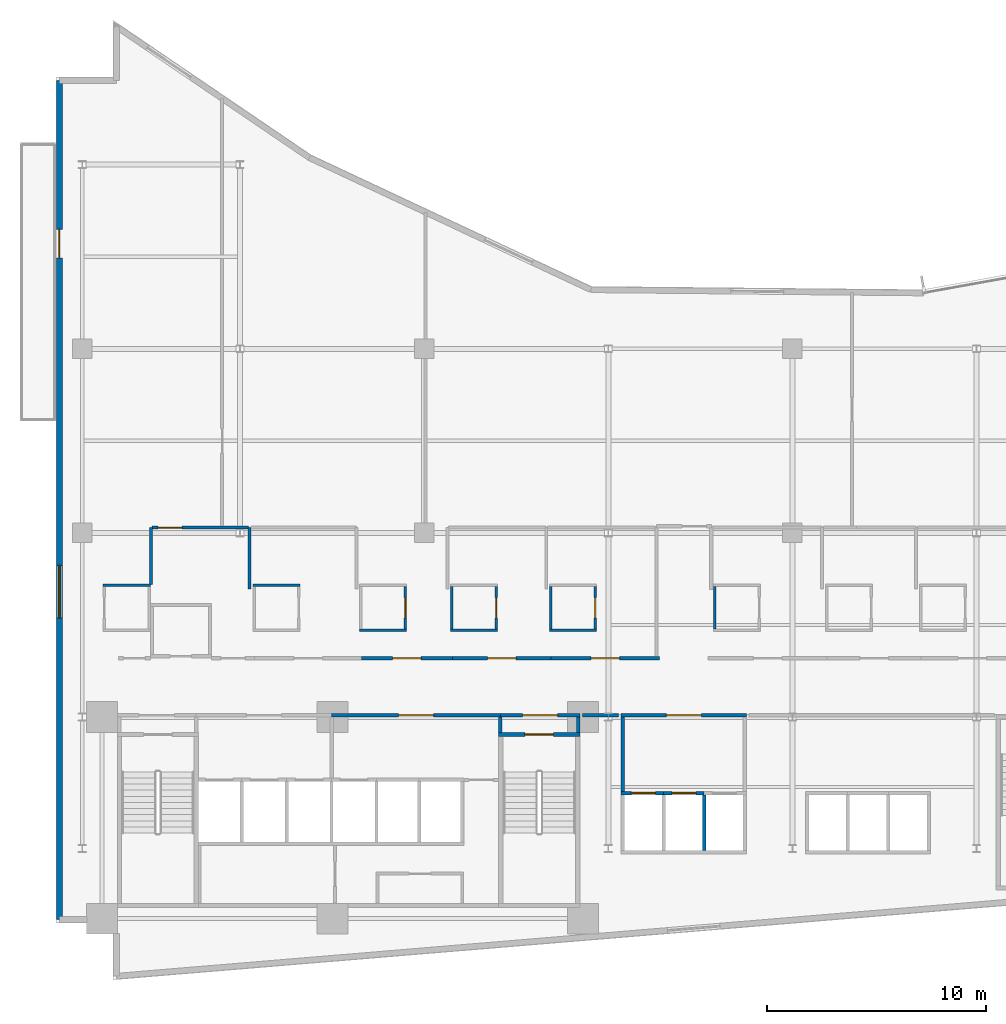
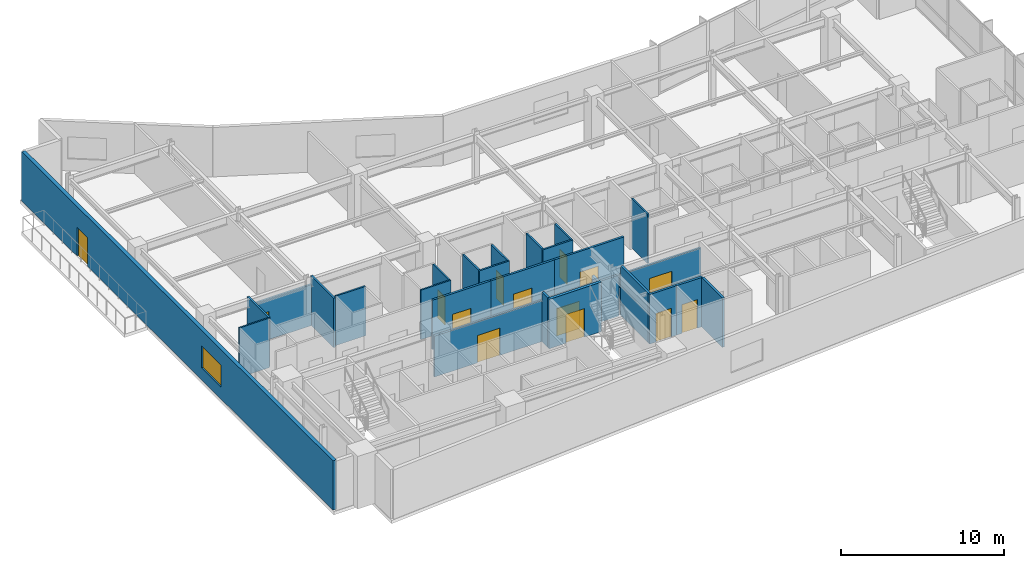
# One storey, part 13 of 21: 29 walls, 14 doors, 1 window, 15 openings.
"""IFC4 building model written with IfcOpenShell, lengths in metres."""

import ifcopenshell
import ifcopenshell.guid

model = None  # the IFC model being written
_history = None  # IfcOwnerHistory: only IFC2X3 demands one
_inside = {}  # id of a spatial element -> (the spatial element, [elements in it])
_under = {}  # id of a project, library or spatial element -> (it, [spatial elements below it])
_declared = {}  # id of a project -> (the project, [libraries it declares])
_typed = {}  # id of a type object -> (the type object, [elements of that type])
_made_of = {}  # id of a material, layer set ... -> (it, [elements and type objects made of it])


def new_model(schema):
    """Start an empty IFC model of exactly this schema.

    Asked for "IFC4X3", IfcOpenShell would pick the latest addendum, in which some entities
    have other attributes; the version numbers below select the first issue.
    IFC2X3 requires an IfcOwnerHistory on every rooted entity: one is made here for all.
    """
    global model, _history
    if schema == "IFC4X3":
        model = ifcopenshell.file(schema_version=(4, 3, 0, 0))
    else:
        model = ifcopenshell.file(schema=schema)
    _inside.clear()
    _under.clear()
    _declared.clear()
    _typed.clear()
    _made_of.clear()
    _history = None
    if model.schema == "IFC2X3":
        org = make("IfcOrganization", Name="unknown")
        user = make(
            "IfcPersonAndOrganization",
            ThePerson=make("IfcPerson", FamilyName="unknown"),
            TheOrganization=org,
        )
        app = make(
            "IfcApplication",
            ApplicationDeveloper=org,
            Version="unknown",
            ApplicationFullName="unknown",
            ApplicationIdentifier="unknown",
        )
        _history = make(
            "IfcOwnerHistory",
            OwningUser=user,
            OwningApplication=app,
            ChangeAction="ADDED",
            CreationDate=0,
        )
    return model


def make(cls, **values):
    """One entity of the class cls with the attributes given. An attribute that is None is left unset."""
    return model.create_entity(
        cls, **{name: value for name, value in values.items() if value is not None}
    )


def rooted(cls, **values):
    """An entity with a GlobalId (a new one), such as an element, a storey or a relation."""
    return make(cls, GlobalId=ifcopenshell.guid.new(), OwnerHistory=_history, **values)


def si_unit(unit_type, name, prefix=None):
    """IfcSIUnit, for example si_unit("LENGTHUNIT", "METRE", prefix="MILLI")."""
    return make("IfcSIUnit", UnitType=unit_type, Prefix=prefix, Name=name)


def assignment(units):
    """IfcUnitAssignment: the units of a project."""
    return None if units is None else make("IfcUnitAssignment", Units=units)


def point(xyz):
    """IfcCartesianPoint."""
    return None if xyz is None else make("IfcCartesianPoint", Coordinates=xyz)


def direction(xyz):
    """IfcDirection."""
    return None if xyz is None else make("IfcDirection", DirectionRatios=xyz)


def frame(location, z_axis=None, x_axis=None):
    """IfcAxis2Placement3D, a coordinate frame: its origin and axes. An axis left out is left unset."""
    return make(
        "IfcAxis2Placement3D",
        Location=point(location),
        Axis=direction(z_axis),
        RefDirection=direction(x_axis),
    )


def frame_2d(location, x_axis=None):
    """IfcAxis2Placement2D, a coordinate frame in the plane: its origin and x axis."""
    return make(
        "IfcAxis2Placement2D", Location=point(location), RefDirection=direction(x_axis)
    )


def origin():
    """The frame at (0, 0, 0) with its axes left unset."""
    return frame((0.0, 0.0, 0.0))


def place(relative_to, where):
    """IfcLocalPlacement: puts the frame where relative to a parent placement (None: the world)."""
    return make(
        "IfcLocalPlacement", PlacementRelTo=relative_to, RelativePlacement=where
    )


def context(
    kind, dimensions, precision=None, world=None, true_north=None, identifier=None
):
    """IfcGeometricRepresentationContext, for example the 3D "Model" context."""
    return make(
        "IfcGeometricRepresentationContext",
        ContextIdentifier=identifier,
        ContextType=kind,
        CoordinateSpaceDimension=dimensions,
        Precision=precision,
        WorldCoordinateSystem=world,
        TrueNorth=true_north,
    )


def subcontext(parent, identifier, kind, view, scale=None):
    """IfcGeometricRepresentationSubContext, for example "Body" below "Model"."""
    return make(
        "IfcGeometricRepresentationSubContext",
        ContextIdentifier=identifier,
        ContextType=kind,
        ParentContext=parent,
        TargetScale=scale,
        TargetView=view,
    )


def project(units=None, contexts=None):
    """IfcProject with its units and contexts."""
    return rooted(
        "IfcProject",
        Name="project",
        RepresentationContexts=contexts,
        UnitsInContext=assignment(units),
    )


def spatial(cls, under=None, at=None, **own):
    """A site, building, storey or space (cls), placed at a placement, below another one or the project."""
    s = rooted(cls, ObjectPlacement=at, **own)
    if under is not None:
        _under.setdefault(under.id(), (under, []))[1].append(s)
    return s


def profile(cls, at=None, kind="AREA", **sizes):
    """A parametric profile (cls). Its sizes go by their IFC names, for example OverallWidth=200.0."""
    return make(cls, ProfileType=kind, Position=at, **sizes)


def rectangle(**sizes):
    """IfcRectangleProfileDef."""
    return profile("IfcRectangleProfileDef", **sizes)


def extrude(swept, where, along, depth):
    """IfcExtrudedAreaSolid: the profile swept, set in the frame where, extruded along a direction by depth."""
    return make(
        "IfcExtrudedAreaSolid",
        SweptArea=swept,
        Position=where,
        ExtrudedDirection=direction(along),
        Depth=depth,
    )


def shape(context_of_items, identifier, shape_type, items):
    """IfcShapeRepresentation: the items that make up one representation, for example the "Body"."""
    return make(
        "IfcShapeRepresentation",
        ContextOfItems=context_of_items,
        RepresentationIdentifier=identifier,
        RepresentationType=shape_type,
        Items=items,
    )


def material(Name=None, Category=None):
    """IfcMaterial."""
    return make("IfcMaterial", Name=Name, Category=Category)


def layer(
    of_material, thickness, ventilated=None, Name=None, Category=None, Priority=None
):
    """IfcMaterialLayer: one layer of a wall or slab, of a material (None: an air gap)."""
    return make(
        "IfcMaterialLayer",
        Material=of_material,
        LayerThickness=thickness,
        IsVentilated=ventilated,
        Name=Name,
        Category=Category,
        Priority=Priority,
    )


def layer_set(layers, Name=None):
    """IfcMaterialLayerSet."""
    return make("IfcMaterialLayerSet", MaterialLayers=layers, LayerSetName=Name)


def made_of(thing, what):
    """Note that an element or type object is made of a material, layer set ...; save() writes the relation."""
    if what is not None:
        _made_of.setdefault(what.id(), (what, []))[1].append(thing)
    return thing


def type_object(cls, material=None, **own):
    """A type object (cls), such as IfcWallType, which elements share."""
    return made_of(rooted(cls, **own), material)


def element(
    cls,
    number,
    at=None,
    inside=None,
    cuts=None,
    type_object=None,
    material=None,
    context=None,
    identifier="Body",
    shape_type=None,
    held_by="IfcProductDefinitionShape",
    body=None,
    shapes=None,
    **own,
):
    """One element of the class cls, such as IfcWall. Its Tag is "e" and its number.

    at: its placement. inside: the storey or other place that contains it. cuts: it is an
    opening in that element (IfcRelVoidsElement). A single representation is given by context,
    identifier, shape_type and body (its items); several are given by shapes. held_by: the class
    of the entity that holds the representations. save() writes the other relations.
    """
    e = rooted(cls, Tag="e%d" % number, ObjectPlacement=at, **own)
    if body is not None:
        shapes = [shape(context, identifier, shape_type, body)]
    if shapes is not None:
        e.Representation = make(held_by, Representations=shapes)
    if inside is not None:
        _inside.setdefault(inside.id(), (inside, []))[1].append(e)
    if cuts is not None:
        rooted(
            "IfcRelVoidsElement", RelatingBuildingElement=cuts, RelatedOpeningElement=e
        )
    if type_object is not None:
        _typed.setdefault(type_object.id(), (type_object, []))[1].append(e)
    return made_of(e, material)


def fill(opening, filler):
    """IfcRelFillsElement: the door or window that sits in an opening."""
    return rooted(
        "IfcRelFillsElement",
        RelatingOpeningElement=opening,
        RelatedBuildingElement=filler,
    )


def aggregate(whole, parts):
    """IfcRelAggregates: a whole, such as a stair, and the parts it consists of."""
    return rooted("IfcRelAggregates", RelatingObject=whole, RelatedObjects=parts)


def save(model, path):
    """Write the relations noted so far, then the file.

    IfcRelAggregates (storeys below a building ...), IfcRelContainedInSpatialStructure (elements
    in a storey), IfcRelDefinesByType, IfcRelAssociatesMaterial and IfcRelDeclares: one each for
    every whole, place, type object, material and project.
    """
    for whole, parts in _under.values():
        aggregate(whole, parts)
    for where, things in _inside.values():
        rooted(
            "IfcRelContainedInSpatialStructure",
            RelatedElements=things,
            RelatingStructure=where,
        )
    for kind, things in _typed.values():
        rooted("IfcRelDefinesByType", RelatedObjects=things, RelatingType=kind)
    for what, things in _made_of.values():
        rooted("IfcRelAssociatesMaterial", RelatedObjects=things, RelatingMaterial=what)
    for by, libraries in _declared.values():
        rooted("IfcRelDeclares", RelatingContext=by, RelatedDefinitions=libraries)
    model.write(path)


model = new_model("IFC4")

# Units and contexts
model_context = context("Model", 3, precision=1e-05, world=origin(), true_north=direction((0.0, 1.0)))
body_context = subcontext(model_context, "Body", "Model", "MODEL_VIEW")
ifc_project = project(units=[si_unit("LENGTHUNIT", "METRE"), si_unit("AREAUNIT", "SQUARE_METRE"), si_unit("VOLUMEUNIT", "CUBIC_METRE"), si_unit("PLANEANGLEUNIT", "RADIAN"), si_unit("MASSUNIT", "GRAM", prefix="KILO")], contexts=[model_context])

# Site, building, storey
site_placement = place(None, origin())
site = spatial("IfcSite", under=ifc_project, at=site_placement, CompositionType="ELEMENT")
building_placement = place(site_placement, origin())
building = spatial("IfcBuilding", under=site, at=building_placement, Name="Varnakote Quay Hospital", CompositionType="ELEMENT")
storey_placement = place(building_placement, frame((0.0, 0.0, 38.300048828125)))
storey = spatial("IfcBuildingStorey", under=building, at=storey_placement, Name="L09", CompositionType="ELEMENT", Elevation=38.300048828125)

# Wall, opening, door
ifc_material_1 = material(Name="Fire-rated acoustic gypsum stud wall", Category="gypsum")
ifc_layer_1 = layer(ifc_material_1, 0.159912109375)
ifc_layer_set_1 = layer_set([ifc_layer_1], Name="Fire-rated acoustic gypsum stud wall")
wall_type_1 = type_object("IfcWallType", Name="WL-COMP-160", PredefinedType="PARTITIONING", material=ifc_layer_set_1)
wall_1_placement = place(storey_placement, frame((12.580078125, 12.080078125, 0.0), z_axis=(0.0, 0.0, 1.0), x_axis=(1.0, 0.0, 0.0)))
wall_1 = element("IfcWall", 1, at=wall_1_placement, inside=storey, type_object=wall_type_1, Name="L09 Clinical Bed Lift Lobby Wall", PredefinedType="PARTITIONING", context=body_context, shape_type="SweptSolid", body=[
    extrude(rectangle(XDim=7.699951171875, YDim=0.159912109375, at=frame_2d((3.85009765625, 0.0))), origin(), (0.0, 0.0, 1.0), 3.072998046875),
])
opening_1_placement = place(wall_1_placement, frame((3.050048828125, 0.0, 0.0)))
opening_1 = element("IfcOpeningElement", 2, at=opening_1_placement, cuts=wall_1, Name="Opening D-SVL-L09", PredefinedType="OPENING", context=body_context, shape_type="SweptSolid", body=[
    extrude(rectangle(XDim=1.60009765625, YDim=2.050048828125, at=frame_2d((0.800048828125, 1.02490234375))), frame((0.0, 0.08984375, 0.0), z_axis=(0.0, -1.0, 0.0), x_axis=(1.0, 0.0, 0.0)), (0.0, 0.0, 1.0), 0.179931640625),
])
ifc_material_2 = material(Name="Fire-rated double smoke lobby door")
door_type_1 = type_object("IfcDoorType", Name="DR-LOBBY-FD60S-1600x2150", OperationType="NOTDEFINED", PredefinedType="DOOR", material=ifc_material_2)
door_1_placement = place(opening_1_placement, origin())
door_1 = element("IfcDoor", 3, at=door_1_placement, inside=storey, type_object=door_type_1, Name="L09 Clinical Core Smoke Vestibule Door", OperationType="DOUBLE_DOOR_SINGLE_SWING", OverallHeight=2.050048828125, OverallWidth=1.60009765625, PredefinedType="DOOR", context=body_context, shape_type="SweptSolid", body=[
    extrude(rectangle(XDim=1.60009765625, YDim=2.050048828125, at=frame_2d((0.800048828125, 1.02490234375))), frame((0.0, 0.02490234375, 0.0), z_axis=(0.0, -1.0, 0.0), x_axis=(1.0, 0.0, 0.0)), (0.0, 0.0, 1.0), 0.050048828125),
])
fill(opening_1, door_1)

# Wall
wall_2_placement = place(storey_placement, frame((20.280029296875, 11.300048828125, 0.0), z_axis=(0.0, 0.0, 1.0), x_axis=(0.0, 1.0, 0.0)))
element("IfcWall", 4, at=wall_2_placement, inside=storey, type_object=wall_type_1, Name="L09 East Stair Vestibule Divider Wall", PredefinedType="PARTITIONING", context=body_context, shape_type="SweptSolid", body=[
    extrude(rectangle(XDim=0.699951171875, YDim=0.159912109375, at=frame_2d((0.35009765625, 0.0))), origin(), (0.0, 0.0, 1.0), 3.7099609375),
])

# Wall, opening, door
wall_3_placement = place(storey_placement, frame((20.280029296875, 12.080078125, 0.0), z_axis=(0.0, 0.0, 1.0), x_axis=(1.0, 0.0, 0.0)))
wall_3 = element("IfcWall", 5, at=wall_3_placement, inside=storey, type_object=wall_type_1, Name="L09 East Stair Vestibule Smoke Wall", PredefinedType="PARTITIONING", context=body_context, shape_type="SweptSolid", body=[
    extrude(rectangle(XDim=3.619873046875, YDim=0.159912109375, at=frame_2d((1.81005859375, 0.0))), origin(), (0.0, 0.0, 1.0), 3.072998046875),
])
opening_2_placement = place(wall_3_placement, frame((1.010009765625, 0.0, 0.0)))
opening_2 = element("IfcOpeningElement", 6, at=opening_2_placement, cuts=wall_3, Name="Opening D-ST2L-L09", PredefinedType="OPENING", context=body_context, shape_type="SweptSolid", body=[
    extrude(rectangle(XDim=1.60009765625, YDim=2.050048828125, at=frame_2d((0.800048828125, 1.02490234375))), frame((0.0, 0.08984375, 0.0), z_axis=(0.0, -1.0, 0.0), x_axis=(1.0, 0.0, 0.0)), (0.0, 0.0, 1.0), 0.179931640625),
])
door_2_placement = place(opening_2_placement, origin())
door_2 = element("IfcDoor", 7, at=door_2_placement, inside=storey, type_object=door_type_1, Name="L09 East Stair Vestibule Smoke Door", OperationType="DOUBLE_DOOR_SINGLE_SWING", OverallHeight=2.050048828125, OverallWidth=1.60009765625, PredefinedType="DOOR", context=body_context, shape_type="SweptSolid", body=[
    extrude(rectangle(XDim=1.60009765625, YDim=2.050048828125, at=frame_2d((0.800048828125, 1.02490234375))), frame((0.0, 0.02490234375, 0.0), z_axis=(0.0, -1.0, 0.0), x_axis=(1.0, 0.0, 0.0)), (0.0, 0.0, 1.0), 0.050048828125),
])
fill(opening_2, door_2)

# Walls
wall_4_placement = place(storey_placement, frame((23.820068359375, 11.300048828125, 0.0), z_axis=(0.0, 0.0, 1.0), x_axis=(0.0, 1.0, 0.0)))
element("IfcWall", 8, at=wall_4_placement, inside=storey, type_object=wall_type_1, Name="L09 East Stair Vestibule East Wall", PredefinedType="PARTITIONING", context=body_context, shape_type="SweptSolid", body=[
    extrude(rectangle(XDim=0.699951171875, YDim=0.159912109375, at=frame_2d((0.35009765625, 0.0))), origin(), (0.0, 0.0, 1.0), 3.7099609375),
])
wall_5_placement = place(storey_placement, frame((25.8701171875, 8.610107421875, 0.0), z_axis=(0.0, 0.0, 1.0), x_axis=(0.0, 1.0, 0.0)))
element("IfcWall", 9, at=wall_5_placement, inside=storey, type_object=wall_type_1, Name="L09 Low-Rise Lift Lobby West Wall", PredefinedType="PARTITIONING", context=body_context, shape_type="SweptSolid", body=[
    extrude(rectangle(XDim=3.389892578125, YDim=0.159912109375, at=frame_2d((1.69482421875, 0.0))), origin(), (0.0, 0.0, 1.0), 3.7099609375),
])

# Wall, opening, door
wall_6_placement = place(storey_placement, frame((25.7900390625, 12.080078125, 0.0), z_axis=(0.0, 0.0, 1.0), x_axis=(1.0, 0.0, 0.0)))
wall_6 = element("IfcWall", 10, at=wall_6_placement, inside=storey, type_object=wall_type_1, Name="L09 Low-Rise Lift Lobby North Wall", PredefinedType="PARTITIONING", context=body_context, shape_type="SweptSolid", body=[
    extrude(rectangle(XDim=5.719970703125, YDim=0.159912109375, at=frame_2d((2.85986328125, 0.0))), origin(), (0.0, 0.0, 1.0), 3.072998046875),
])
opening_3_placement = place(wall_6_placement, frame((2.06005859375, 0.0, 0.0)))
opening_3 = element("IfcOpeningElement", 11, at=opening_3_placement, cuts=wall_6, Name="Opening D-PLL-L09", PredefinedType="OPENING", context=body_context, shape_type="SweptSolid", body=[
    extrude(rectangle(XDim=1.60009765625, YDim=2.050048828125, at=frame_2d((0.800048828125, 1.02490234375))), frame((0.0, 0.08984375, 0.0), z_axis=(0.0, -1.0, 0.0), x_axis=(1.0, 0.0, 0.0)), (0.0, 0.0, 1.0), 0.179931640625),
])
door_3_placement = place(opening_3_placement, origin())
door_3 = element("IfcDoor", 12, at=door_3_placement, inside=storey, type_object=door_type_1, Name="L09 Low-Rise Passenger Concourse Vestibule Door", OperationType="DOUBLE_DOOR_SINGLE_SWING", OverallHeight=2.050048828125, OverallWidth=1.60009765625, PredefinedType="DOOR", context=body_context, shape_type="SweptSolid", body=[
    extrude(rectangle(XDim=1.60009765625, YDim=2.050048828125, at=frame_2d((0.800048828125, 1.02490234375))), frame((0.0, 0.02490234375, 0.0), z_axis=(0.0, -1.0, 0.0), x_axis=(1.0, 0.0, 0.0)), (0.0, 0.0, 1.0), 0.050048828125),
])
fill(opening_3, door_3)

# Walls
wall_7_placement = place(storey_placement, frame((24.02001953125, 12.080078125, 0.0), z_axis=(0.0, 0.0, 1.0), x_axis=(1.0, 0.0, 0.0)))
element("IfcWall", 13, at=wall_7_placement, inside=storey, type_object=wall_type_1, Name="L09 Corridor South Gap Wall", PredefinedType="PARTITIONING", context=body_context, shape_type="SweptSolid", body=[
    extrude(rectangle(XDim=1.64990234375, YDim=0.159912109375, at=frame_2d((0.824951171875, 0.0))), origin(), (0.0, 0.0, 1.0), 3.072998046875),
])
ifc_material_3 = material(Name="Moisture-resistant bathroom partition", Category="gypsum")
ifc_layer_2 = layer(ifc_material_3, 0.114990234375)
ifc_layer_set_2 = layer_set([ifc_layer_2], Name="Moisture-resistant bathroom partition")
wall_type_2 = type_object("IfcWallType", Name="WL-ENS-115", PredefinedType="PARTITIONING", material=ifc_layer_set_2)
for number, where, z_axis, x_axis, name in (
    (14, (2.155029296875, 18.017578125, 0.0), (0.0, 0.0, 1.0), (1.0, 0.0, 0.0), "L09 Inpatient En-Suite Bathroom 01 N Wall"),
    (15, (8.985107421875, 18.017578125, 0.0), (0.0, 0.0, 1.0), (1.0, 0.0, 0.0), "L09 Inpatient En-Suite Bathroom 02 N Wall"),
    (16, (13.85498046875, 15.952392578125, 0.0), (0.0, 0.0, 1.0), (1.0, 0.0, 0.0), "L09 Inpatient En-Suite Bathroom 03 S Wall"),
):
    element("IfcWall", number, at=place(storey_placement, frame(where, z_axis=z_axis, x_axis=x_axis)), inside=storey, type_object=wall_type_2, Name=name, PredefinedType="PARTITIONING", context=body_context, shape_type="SweptSolid", body=[
        extrude(rectangle(XDim=2.14990234375, YDim=0.114990234375, at=frame_2d((1.074951171875, 0.0))), origin(), (0.0, 0.0, 1.0), 3.7099609375),
    ])

# Wall, opening, door
wall_8_placement = place(storey_placement, frame((15.947509765625, 16.010009765625, 0.0), z_axis=(0.0, 0.0, 1.0), x_axis=(0.0, 1.0, 0.0)))
wall_8 = element("IfcWall", 17, at=wall_8_placement, inside=storey, type_object=wall_type_2, Name="L09 Inpatient En-Suite Bathroom 03 E Wall", PredefinedType="PARTITIONING", context=body_context, shape_type="SweptSolid", body=[
    extrude(rectangle(XDim=1.949951171875, YDim=0.114990234375, at=frame_2d((0.97509765625, 0.0))), origin(), (0.0, 0.0, 1.0), 3.7099609375),
])
opening_4_placement = place(wall_8_placement, frame((0.514892578125, 0.0, 0.0)))
opening_4 = element("IfcOpeningElement", 18, at=opening_4_placement, cuts=wall_8, Name="Opening D-L09-ENS03", PredefinedType="OPENING", context=body_context, shape_type="SweptSolid", body=[
    extrude(rectangle(XDim=0.919921875, YDim=2.10009765625, at=frame_2d((0.4599609375, 1.050048828125))), frame((0.0, 0.0673828125, 0.0), z_axis=(0.0, -1.0, 0.0), x_axis=(1.0, 0.0, 0.0)), (0.0, 0.0, 1.0), 0.135009765625),
])
ifc_material_4 = material(Name="Moisture-sealed en-suite bathroom door")
door_type_2 = type_object("IfcDoorType", Name="DR-ENS-920x2100", OperationType="NOTDEFINED", PredefinedType="DOOR", material=ifc_material_4)
door_4_placement = place(opening_4_placement, origin())
door_4 = element("IfcDoor", 19, at=door_4_placement, inside=storey, type_object=door_type_2, Name="L09 Inpatient En-Suite Bathroom 03 Door", OperationType="SINGLE_SWING_LEFT", OverallHeight=2.10009765625, OverallWidth=0.919921875, PredefinedType="DOOR", context=body_context, shape_type="SweptSolid", body=[
    extrude(rectangle(XDim=0.919921875, YDim=2.10009765625, at=frame_2d((0.4599609375, 1.050048828125))), frame((0.0, 0.02490234375, 0.0), z_axis=(0.0, -1.0, 0.0), x_axis=(1.0, 0.0, 0.0)), (0.0, 0.0, 1.0), 0.050048828125),
])
fill(opening_4, door_4)

# Walls
wall_9_placement = place(storey_placement, frame((18.0048828125, 15.952392578125, 0.0), z_axis=(0.0, 0.0, 1.0), x_axis=(1.0, 0.0, 0.0)))
element("IfcWall", 20, at=wall_9_placement, inside=storey, type_object=wall_type_2, Name="L09 Inpatient En-Suite Bathroom 04 S Wall", PredefinedType="PARTITIONING", context=body_context, shape_type="SweptSolid", body=[
    extrude(rectangle(XDim=2.150146484375, YDim=0.114990234375, at=frame_2d((1.0751953125, 0.0))), origin(), (0.0, 0.0, 1.0), 3.7099609375),
])
wall_10_placement = place(storey_placement, frame((18.0625, 16.010009765625, 0.0), z_axis=(0.0, 0.0, 1.0), x_axis=(0.0, 1.0, 0.0)))
element("IfcWall", 21, at=wall_10_placement, inside=storey, type_object=wall_type_2, Name="L09 Inpatient En-Suite Bathroom 04 W Wall", PredefinedType="PARTITIONING", context=body_context, shape_type="SweptSolid", body=[
    extrude(rectangle(XDim=1.949951171875, YDim=0.114990234375, at=frame_2d((0.97509765625, 0.0))), origin(), (0.0, 0.0, 1.0), 3.7099609375),
])

# Wall, opening, door
wall_11_placement = place(storey_placement, frame((20.097412109375, 16.010009765625, 0.0), z_axis=(0.0, 0.0, 1.0), x_axis=(0.0, 1.0, 0.0)))
wall_11 = element("IfcWall", 22, at=wall_11_placement, inside=storey, type_object=wall_type_2, Name="L09 Inpatient En-Suite Bathroom 04 E Wall", PredefinedType="PARTITIONING", context=body_context, shape_type="SweptSolid", body=[
    extrude(rectangle(XDim=1.949951171875, YDim=0.114990234375, at=frame_2d((0.97509765625, 0.0))), origin(), (0.0, 0.0, 1.0), 3.7099609375),
])
opening_5_placement = place(wall_11_placement, frame((0.514892578125, 0.0, 0.0)))
opening_5 = element("IfcOpeningElement", 23, at=opening_5_placement, cuts=wall_11, Name="Opening D-L09-ENS04", PredefinedType="OPENING", context=body_context, shape_type="SweptSolid", body=[
    extrude(rectangle(XDim=0.919921875, YDim=2.10009765625, at=frame_2d((0.4599609375, 1.050048828125))), frame((0.0, 0.0673828125, 0.0), z_axis=(0.0, -1.0, 0.0), x_axis=(1.0, 0.0, 0.0)), (0.0, 0.0, 1.0), 0.135009765625),
])
door_5_placement = place(opening_5_placement, origin())
door_5 = element("IfcDoor", 24, at=door_5_placement, inside=storey, type_object=door_type_2, Name="L09 Inpatient En-Suite Bathroom 04 Door", OperationType="SINGLE_SWING_RIGHT", OverallHeight=2.10009765625, OverallWidth=0.919921875, PredefinedType="DOOR", context=body_context, shape_type="SweptSolid", body=[
    extrude(rectangle(XDim=0.919921875, YDim=2.10009765625, at=frame_2d((0.4599609375, 1.050048828125))), frame((0.0, 0.02490234375, 0.0), z_axis=(0.0, -1.0, 0.0), x_axis=(1.0, 0.0, 0.0)), (0.0, 0.0, 1.0), 0.050048828125),
])
fill(opening_5, door_5)

# Walls
wall_12_placement = place(storey_placement, frame((22.514892578125, 15.952392578125, 0.0), z_axis=(0.0, 0.0, 1.0), x_axis=(1.0, 0.0, 0.0)))
element("IfcWall", 25, at=wall_12_placement, inside=storey, type_object=wall_type_2, Name="L09 Inpatient En-Suite Bathroom 05 S Wall", PredefinedType="PARTITIONING", context=body_context, shape_type="SweptSolid", body=[
    extrude(rectangle(XDim=2.150146484375, YDim=0.114990234375, at=frame_2d((1.0751953125, 0.0))), origin(), (0.0, 0.0, 1.0), 3.7099609375),
])
wall_13_placement = place(storey_placement, frame((22.572509765625, 16.010009765625, 0.0), z_axis=(0.0, 0.0, 1.0), x_axis=(0.0, 1.0, 0.0)))
element("IfcWall", 26, at=wall_13_placement, inside=storey, type_object=wall_type_2, Name="L09 Inpatient En-Suite Bathroom 05 W Wall", PredefinedType="PARTITIONING", context=body_context, shape_type="SweptSolid", body=[
    extrude(rectangle(XDim=1.949951171875, YDim=0.114990234375, at=frame_2d((0.97509765625, 0.0))), origin(), (0.0, 0.0, 1.0), 3.7099609375),
])

# Wall, opening, door
wall_14_placement = place(storey_placement, frame((24.607421875, 16.010009765625, 0.0), z_axis=(0.0, 0.0, 1.0), x_axis=(0.0, 1.0, 0.0)))
wall_14 = element("IfcWall", 27, at=wall_14_placement, inside=storey, type_object=wall_type_2, Name="L09 Inpatient En-Suite Bathroom 05 E Wall", PredefinedType="PARTITIONING", context=body_context, shape_type="SweptSolid", body=[
    extrude(rectangle(XDim=1.949951171875, YDim=0.114990234375, at=frame_2d((0.97509765625, 0.0))), origin(), (0.0, 0.0, 1.0), 3.7099609375),
])
opening_6_placement = place(wall_14_placement, frame((0.514892578125, 0.0, 0.0)))
opening_6 = element("IfcOpeningElement", 28, at=opening_6_placement, cuts=wall_14, Name="Opening D-L09-ENS05", PredefinedType="OPENING", context=body_context, shape_type="SweptSolid", body=[
    extrude(rectangle(XDim=0.919921875, YDim=2.10009765625, at=frame_2d((0.4599609375, 1.050048828125))), frame((0.0, 0.0673828125, 0.0), z_axis=(0.0, -1.0, 0.0), x_axis=(1.0, 0.0, 0.0)), (0.0, 0.0, 1.0), 0.135009765625),
])
door_6_placement = place(opening_6_placement, origin())
door_6 = element("IfcDoor", 29, at=door_6_placement, inside=storey, type_object=door_type_2, Name="L09 Inpatient En-Suite Bathroom 05 Door", OperationType="SINGLE_SWING_LEFT", OverallHeight=2.10009765625, OverallWidth=0.919921875, PredefinedType="DOOR", context=body_context, shape_type="SweptSolid", body=[
    extrude(rectangle(XDim=0.919921875, YDim=2.10009765625, at=frame_2d((0.4599609375, 1.050048828125))), frame((0.0, 0.02490234375, 0.0), z_axis=(0.0, -1.0, 0.0), x_axis=(1.0, 0.0, 0.0)), (0.0, 0.0, 1.0), 0.050048828125),
])
fill(opening_6, door_6)

# Wall
wall_15_placement = place(storey_placement, frame((30.0625, 16.010009765625, 0.0), z_axis=(0.0, 0.0, 1.0), x_axis=(0.0, 1.0, 0.0)))
element("IfcWall", 30, at=wall_15_placement, inside=storey, type_object=wall_type_2, Name="L09 Inpatient En-Suite Bathroom 06 W Wall", PredefinedType="PARTITIONING", context=body_context, shape_type="SweptSolid", body=[
    extrude(rectangle(XDim=1.949951171875, YDim=0.114990234375, at=frame_2d((0.97509765625, 0.0))), origin(), (0.0, 0.0, 1.0), 3.7099609375),
])

# Wall, openings, door, window
ifc_material_5 = material(Name="Precast concrete N50 (f'c 50 MPa)", Category="concrete")
ifc_layer_3 = layer(ifc_material_5, 0.260009765625)
ifc_layer_set_3 = layer_set([ifc_layer_3], Name="Precast concrete N50 (f'c 50 MPa)")
wall_type_3 = type_object("IfcWallType", Name="WL-EXT-BRICK-260", PredefinedType="STANDARD", material=ifc_layer_set_3)
wall_16_placement = place(storey_placement, frame((0.159912109375, 41.0400390625, 0.0), z_axis=(0.0, 0.0, 1.0), x_axis=(0.0, -1.0, 0.0)))
wall_16 = element("IfcWall", 31, at=wall_16_placement, inside=storey, type_object=wall_type_3, Name="L09 Healing Terrace Portal Brick Wall", PredefinedType="STANDARD", context=body_context, shape_type="SweptSolid", body=[
    extrude(rectangle(XDim=38.280029296875, YDim=0.260009765625, at=frame_2d((19.14013671875, 0.0))), origin(), (0.0, 0.0, 1.0), 3.7099609375),
])
opening_7_placement = place(wall_16_placement, frame((6.793212890625, 0.0, 0.0)))
opening_7 = element("IfcOpeningElement", 32, at=opening_7_placement, cuts=wall_16, Name="Opening DT-L09", PredefinedType="OPENING", context=body_context, shape_type="SweptSolid", body=[
    extrude(rectangle(XDim=1.300048828125, YDim=2.14990234375, at=frame_2d((0.64990234375, 1.074951171875))), frame((0.0, 0.139892578125, 0.0), z_axis=(0.0, -1.0, 0.0), x_axis=(1.0, 0.0, 0.0)), (0.0, 0.0, 1.0), 0.280029296875),
])
opening_8_placement = place(wall_16_placement, frame((22.126953125, 0.0, 0.89990234375)))
opening_8 = element("IfcOpeningElement", 33, at=opening_8_placement, cuts=wall_16, Name="Opening WN-0304", PredefinedType="OPENING", context=body_context, shape_type="SweptSolid", body=[
    extrude(rectangle(XDim=2.39990234375, YDim=1.64990234375, at=frame_2d((1.199951171875, 0.824951171875))), frame((0.0, 0.139892578125, 0.0), z_axis=(0.0, -1.0, 0.0), x_axis=(1.0, 0.0, 0.0)), (0.0, 0.0, 1.0), 0.280029296875),
])
ifc_material_6 = material(Name="Anodised aluminium glazed terrace door", Category="aluminium")
door_type_3 = type_object("IfcDoorType", Name="DR-EXT-TERR-1300x2150", OperationType="NOTDEFINED", PredefinedType="DOOR", material=ifc_material_6)
door_7_placement = place(opening_7_placement, origin())
door_7 = element("IfcDoor", 34, at=door_7_placement, inside=storey, type_object=door_type_3, Name="L09 Waterfront Healing Terrace Door", OperationType="SINGLE_SWING_RIGHT", OverallHeight=2.14990234375, OverallWidth=1.300048828125, PredefinedType="DOOR", context=body_context, shape_type="SweptSolid", body=[
    extrude(rectangle(XDim=1.300048828125, YDim=2.14990234375, at=frame_2d((0.64990234375, 1.074951171875))), frame((0.0, 0.02490234375, 0.0), z_axis=(0.0, -1.0, 0.0), x_axis=(1.0, 0.0, 0.0)), (0.0, 0.0, 1.0), 0.050048828125),
])
fill(opening_7, door_7)
ifc_material_7 = material(Name="Double-glazed low-E solar glass", Category="glass")
window_type = type_object("IfcWindowType", Name="WIN-CLIN-2400x1650", PartitioningType="SINGLE_PANEL", PredefinedType="WINDOW", material=ifc_material_7)
window_placement = place(opening_8_placement, origin())
window = element("IfcWindow", 35, at=window_placement, inside=storey, type_object=window_type, Name="L09 Solar-Control Clinical Window", OverallHeight=1.64990234375, OverallWidth=2.39990234375, PartitioningType="SINGLE_PANEL", PredefinedType="WINDOW", context=body_context, shape_type="SweptSolid", body=[
    extrude(rectangle(XDim=2.39990234375, YDim=1.64990234375, at=frame_2d((1.199951171875, 0.824951171875))), frame((0.0, 0.030029296875, 0.0), z_axis=(0.0, -1.0, 0.0), x_axis=(1.0, 0.0, 0.0)), (0.0, 0.0, 1.0), 0.06005859375),
])
fill(opening_8, window)

# Wall
ifc_material_8 = material(Name="Concrete N50 (f'c 50 MPa)", Category="concrete")
ifc_layer_4 = layer(ifc_material_8, 0.14990234375)
ifc_layer_set_4 = layer_set([ifc_layer_4], Name="Concrete N50 (f'c 50 MPa)")
wall_type_4 = type_object("IfcWallType", Name="WL-SHAFT-N50-150", PredefinedType="SHEAR", material=ifc_layer_set_4)
wall_17_placement = place(storey_placement, frame((29.574951171875, 5.89990234375, 0.0), z_axis=(0.0, 0.0, 1.0), x_axis=(0.0, 1.0, 0.0)))
element("IfcWall", 36, at=wall_17_placement, inside=storey, type_object=wall_type_4, Name="L09 LF-PL2 Hoistway Divider Wall", PredefinedType="SHEAR", context=body_context, shape_type="SweptSolid", body=[
    extrude(rectangle(XDim=2.550048828125, YDim=0.14990234375, at=frame_2d((1.27490234375, 0.0))), origin(), (0.0, 0.0, 1.0), 3.7099609375),
])

# Wall, opening, door
ifc_material_9 = material(Name="Concrete N50 (f'c 50 MPa)", Category="concrete")
ifc_layer_5 = layer(ifc_material_9, 0.159912109375)
ifc_layer_set_5 = layer_set([ifc_layer_5], Name="Concrete N50 (f'c 50 MPa)")
wall_type_5 = type_object("IfcWallType", Name="WL-SHAFT-N50-160", PredefinedType="SHEAR", material=ifc_layer_set_5)
wall_18_placement = place(storey_placement, frame((25.7900390625, 8.530029296875, 0.0), z_axis=(0.0, 0.0, 1.0), x_axis=(1.0, 0.0, 0.0)))
wall_18 = element("IfcWall", 37, at=wall_18_placement, inside=storey, type_object=wall_type_5, Name="L09 LF-PL1 Hoistway Front Wall", PredefinedType="SHEAR", context=body_context, shape_type="SweptSolid", body=[
    extrude(rectangle(XDim=1.93505859375, YDim=0.159912109375, at=frame_2d((0.967529296875, 0.0))), origin(), (0.0, 0.0, 1.0), 3.7099609375),
])
opening_9_placement = place(wall_18_placement, frame((0.4599609375, 0.0, 0.0)))
opening_9 = element("IfcOpeningElement", 38, at=opening_9_placement, cuts=wall_18, Name="Opening LD-PL1-L09", PredefinedType="OPENING", context=body_context, shape_type="SweptSolid", body=[
    extrude(rectangle(XDim=1.10009765625, YDim=2.14990234375, at=frame_2d((0.550048828125, 1.074951171875))), frame((0.0, 0.08984375, 0.0), z_axis=(0.0, -1.0, 0.0), x_axis=(1.0, 0.0, 0.0)), (0.0, 0.0, 1.0), 0.179931640625),
])
ifc_material_10 = material(Name="Brushed bronze lift landing sliding door")
door_type_4 = type_object("IfcDoorType", Name="DR-LIFT-LD-1100x2150", OperationType="NOTDEFINED", PredefinedType="DOOR", material=ifc_material_10)
door_8_placement = place(opening_9_placement, origin())
door_8 = element("IfcDoor", 39, at=door_8_placement, inside=storey, type_object=door_type_4, Name="L09 LF-PL1 Lift Landing Sliding Door", OperationType="SLIDING_TO_LEFT", OverallHeight=2.14990234375, OverallWidth=1.10009765625, PredefinedType="DOOR", context=body_context, shape_type="SweptSolid", body=[
    extrude(rectangle(XDim=1.10009765625, YDim=2.14990234375, at=frame_2d((0.550048828125, 1.074951171875))), frame((0.0, 0.02490234375, 0.0), z_axis=(0.0, -1.0, 0.0), x_axis=(1.0, 0.0, 0.0)), (0.0, 0.0, 1.0), 0.050048828125),
])
fill(opening_9, door_8)

wall_19_placement = place(storey_placement, frame((27.72509765625, 8.530029296875, 0.0), z_axis=(0.0, 0.0, 1.0), x_axis=(1.0, 0.0, 0.0)))
wall_19 = element("IfcWall", 40, at=wall_19_placement, inside=storey, type_object=wall_type_5, Name="L09 LF-PL2 Hoistway Front Wall", PredefinedType="SHEAR", context=body_context, shape_type="SweptSolid", body=[
    extrude(rectangle(XDim=1.849853515625, YDim=0.159912109375, at=frame_2d((0.9248046875, 0.0))), origin(), (0.0, 0.0, 1.0), 3.7099609375),
])
opening_10_placement = place(wall_19_placement, frame((0.375, 0.0, 0.0)))
opening_10 = element("IfcOpeningElement", 41, at=opening_10_placement, cuts=wall_19, Name="Opening LD-PL2-L09", PredefinedType="OPENING", context=body_context, shape_type="SweptSolid", body=[
    extrude(rectangle(XDim=1.10009765625, YDim=2.14990234375, at=frame_2d((0.550048828125, 1.074951171875))), frame((0.0, 0.08984375, 0.0), z_axis=(0.0, -1.0, 0.0), x_axis=(1.0, 0.0, 0.0)), (0.0, 0.0, 1.0), 0.179931640625),
])
door_9_placement = place(opening_10_placement, origin())
door_9 = element("IfcDoor", 42, at=door_9_placement, inside=storey, type_object=door_type_4, Name="L09 LF-PL2 Lift Landing Sliding Door", OperationType="SLIDING_TO_LEFT", OverallHeight=2.14990234375, OverallWidth=1.10009765625, PredefinedType="DOOR", context=body_context, shape_type="SweptSolid", body=[
    extrude(rectangle(XDim=1.10009765625, YDim=2.14990234375, at=frame_2d((0.550048828125, 1.074951171875))), frame((0.0, 0.02490234375, 0.0), z_axis=(0.0, -1.0, 0.0), x_axis=(1.0, 0.0, 0.0)), (0.0, 0.0, 1.0), 0.050048828125),
])
fill(opening_10, door_9)

ifc_material_11 = material(Name="Concrete N50 (f'c 50 MPa)", Category="concrete")
ifc_layer_6 = layer(ifc_material_11, 0.199951171875)
ifc_layer_set_6 = layer_set([ifc_layer_6], Name="Concrete N50 (f'c 50 MPa)")
wall_type_6 = type_object("IfcWallType", Name="WL-SHAFT-N50-200", PredefinedType="SHEAR", material=ifc_layer_set_6)
wall_20_placement = place(storey_placement, frame((20.199951171875, 11.199951171875, 0.0), z_axis=(0.0, 0.0, 1.0), x_axis=(1.0, 0.0, 0.0)))
wall_20 = element("IfcWall", 43, at=wall_20_placement, inside=storey, type_object=wall_type_6, Name="L09 Stair ST2 Exit Wall", PredefinedType="SHEAR", context=body_context, shape_type="SweptSolid", body=[
    extrude(rectangle(XDim=3.699951171875, YDim=0.199951171875, at=frame_2d((1.85009765625, 0.0))), origin(), (0.0, 0.0, 1.0), 3.7099609375),
])
opening_11_placement = place(wall_20_placement, frame((1.199951171875, 0.0, 0.0)))
opening_11 = element("IfcOpeningElement", 44, at=opening_11_placement, cuts=wall_20, Name="Opening D-ST2-L09", PredefinedType="OPENING", context=body_context, shape_type="SweptSolid", body=[
    extrude(rectangle(XDim=1.300048828125, YDim=2.14990234375, at=frame_2d((0.64990234375, 1.074951171875))), frame((0.0, 0.10986328125, 0.0), z_axis=(0.0, -1.0, 0.0), x_axis=(1.0, 0.0, 0.0)), (0.0, 0.0, 1.0), 0.219970703125),
])
ifc_material_12 = material(Name="Fire-rated ceramic-glazed timber exit door", Category="wood")
door_type_5 = type_object("IfcDoorType", Name="DR-STAIR-FD60S-1300x2150", OperationType="NOTDEFINED", PredefinedType="DOOR", material=ifc_material_12)
door_10_placement = place(opening_11_placement, origin())
door_10 = element("IfcDoor", 45, at=door_10_placement, inside=storey, type_object=door_type_5, Name="L09 Stair ST2 Fire Exit Door", OperationType="SINGLE_SWING_LEFT", OverallHeight=2.14990234375, OverallWidth=1.300048828125, PredefinedType="DOOR", context=body_context, shape_type="SweptSolid", body=[
    extrude(rectangle(XDim=1.300048828125, YDim=2.14990234375, at=frame_2d((0.64990234375, 1.074951171875))), frame((0.0, 0.02490234375, 0.0), z_axis=(0.0, -1.0, 0.0), x_axis=(1.0, 0.0, 0.0)), (0.0, 0.0, 1.0), 0.050048828125),
])
fill(opening_11, door_10)

# Walls
ifc_material_13 = material(Name="Smoke-proof clinical partition", Category="gypsum")
ifc_layer_7 = layer(ifc_material_13, 0.135009765625)
ifc_layer_set_7 = layer_set([ifc_layer_7], Name="Smoke-proof clinical partition")
wall_type_7 = type_object("IfcWallType", Name="WL-SMOKE-135", PredefinedType="PARTITIONING", material=ifc_layer_set_7)
wall_21_placement = place(storey_placement, frame((4.330078125, 18.0400390625, 0.0), z_axis=(0.0, 0.0, 1.0), x_axis=(0.0, 1.0, 0.0)))
element("IfcWall", 46, at=wall_21_placement, inside=storey, type_object=wall_type_7, Name="L09 Clinical Interior Partition", PredefinedType="PARTITIONING", context=body_context, shape_type="SweptSolid", body=[
    extrude(rectangle(XDim=2.599853515625, YDim=0.135009765625, at=frame_2d((1.2998046875, 0.0))), origin(), (0.0, 0.0, 1.0), 3.7099609375),
])
wall_22_placement = place(storey_placement, frame((8.840087890625, 17.83251953125, 0.0), z_axis=(0.0, 0.0, 1.0), x_axis=(0.0, 1.0, 0.0)))
element("IfcWall", 47, at=wall_22_placement, inside=storey, type_object=wall_type_7, Name="L09 Clinical Interior Partition", PredefinedType="PARTITIONING", context=body_context, shape_type="SweptSolid", body=[
    extrude(rectangle(XDim=2.807373046875, YDim=0.135009765625, at=frame_2d((1.40380859375, 0.0))), origin(), (0.0, 0.0, 1.0), 3.7099609375),
])

# Wall, opening, door
wall_23_placement = place(storey_placement, frame((8.782470703125, 20.639892578125, 0.0), z_axis=(0.0, 0.0, 1.0), x_axis=(-1.0, 0.0, 0.0)))
wall_23 = element("IfcWall", 48, at=wall_23_placement, inside=storey, type_object=wall_type_7, Name="L09 Clinical Interior Partition", PredefinedType="PARTITIONING", context=body_context, shape_type="SweptSolid", body=[
    extrude(rectangle(XDim=4.39501953125, YDim=0.135009765625, at=frame_2d((2.197509765625, 0.0))), origin(), (0.0, 0.0, 1.0), 3.072998046875),
])
opening_12_placement = place(wall_23_placement, frame((3.022705078125, 0.0, 0.0)))
opening_12 = element("IfcOpeningElement", 49, at=opening_12_placement, cuts=wall_23, Name="Opening D-L09-DLNG", PredefinedType="OPENING", context=body_context, shape_type="SweptSolid", body=[
    extrude(rectangle(XDim=1.10009765625, YDim=2.10009765625, at=frame_2d((0.550048828125, 1.050048828125))), frame((0.0, 0.077392578125, 0.0), z_axis=(0.0, -1.0, 0.0), x_axis=(1.0, 0.0, 0.0)), (0.0, 0.0, 1.0), 0.155029296875),
])
ifc_material_14 = material(Name="Acoustic timber clinical consult door", Category="wood")
door_type_6 = type_object("IfcDoorType", Name="DR-CLIN-FD30S-1100x2100", OperationType="NOTDEFINED", PredefinedType="DOOR", material=ifc_material_14)
door_11_placement = place(opening_12_placement, origin())
door_11 = element("IfcDoor", 50, at=door_11_placement, inside=storey, type_object=door_type_6, Name="L09 Waterfront Patient & Family Dayroom Door", OperationType="SINGLE_SWING_RIGHT", OverallHeight=2.10009765625, OverallWidth=1.10009765625, PredefinedType="DOOR", context=body_context, shape_type="SweptSolid", body=[
    extrude(rectangle(XDim=1.10009765625, YDim=2.10009765625, at=frame_2d((0.550048828125, 1.050048828125))), frame((0.0, 0.02490234375, 0.0), z_axis=(0.0, -1.0, 0.0), x_axis=(1.0, 0.0, 0.0)), (0.0, 0.0, 1.0), 0.050048828125),
])
fill(opening_12, door_11)

ifc_material_15 = material(Name="Fire-rated clinical gypsum partition", Category="gypsum")
ifc_layer_8 = layer(ifc_material_15, 0.14990234375)
ifc_layer_set_8 = layer_set([ifc_layer_8], Name="Fire-rated clinical gypsum partition")
wall_type_8 = type_object("IfcWallType", Name="WL-WARD-150", PredefinedType="PARTITIONING", material=ifc_layer_set_8)
wall_24_placement = place(storey_placement, frame((18.0859375, 14.679931640625, 0.0), z_axis=(0.0, 0.0, 1.0), x_axis=(-1.0, 0.0, 0.0)))
wall_24 = element("IfcWall", 51, at=wall_24_placement, inside=storey, type_object=wall_type_8, Name="L09 Clinical Interior Partition", PredefinedType="PARTITIONING", context=body_context, shape_type="SweptSolid", body=[
    extrude(rectangle(XDim=4.14794921875, YDim=0.14990234375, at=frame_2d((2.073974609375, 0.0))), origin(), (0.0, 0.0, 1.0), 3.7099609375),
])
opening_13_placement = place(wall_24_placement, frame((1.424072265625, 0.0, 0.0)))
opening_13 = element("IfcOpeningElement", 52, at=opening_13_placement, cuts=wall_24, Name="Opening D-L09-BR03", PredefinedType="OPENING", context=body_context, shape_type="SweptSolid", body=[
    extrude(rectangle(XDim=1.300048828125, YDim=2.14990234375, at=frame_2d((0.64990234375, 1.074951171875))), frame((0.0, 0.0849609375, 0.0), z_axis=(0.0, -1.0, 0.0), x_axis=(1.0, 0.0, 0.0)), (0.0, 0.0, 1.0), 0.169921875),
])
ifc_material_16 = material(Name="Solid-core timber clinical bed door", Category="wood")
door_type_7 = type_object("IfcDoorType", Name="DR-WARD-FD30S-1300x2150", OperationType="NOTDEFINED", PredefinedType="DOOR", material=ifc_material_16)
door_12_placement = place(opening_13_placement, origin())
door_12 = element("IfcDoor", 53, at=door_12_placement, inside=storey, type_object=door_type_7, Name="L09 Resident Care Bedroom 03 Door", OperationType="SINGLE_SWING_RIGHT", OverallHeight=2.14990234375, OverallWidth=1.300048828125, PredefinedType="DOOR", context=body_context, shape_type="SweptSolid", body=[
    extrude(rectangle(XDim=1.300048828125, YDim=2.14990234375, at=frame_2d((0.64990234375, 1.074951171875))), frame((0.0, 0.02490234375, 0.0), z_axis=(0.0, -1.0, 0.0), x_axis=(1.0, 0.0, 0.0)), (0.0, 0.0, 1.0), 0.050048828125),
])
fill(opening_13, door_12)

wall_25_placement = place(storey_placement, frame((22.595947265625, 14.679931640625, 0.0), z_axis=(0.0, 0.0, 1.0), x_axis=(-1.0, 0.0, 0.0)))
wall_25 = element("IfcWall", 54, at=wall_25_placement, inside=storey, type_object=wall_type_8, Name="L09 Clinical Interior Partition", PredefinedType="PARTITIONING", context=body_context, shape_type="SweptSolid", body=[
    extrude(rectangle(XDim=4.508056640625, YDim=0.14990234375, at=frame_2d((2.25390625, 0.0))), origin(), (0.0, 0.0, 1.0), 3.7099609375),
])
opening_14_placement = place(wall_25_placement, frame((1.60400390625, 0.0, 0.0)))
opening_14 = element("IfcOpeningElement", 55, at=opening_14_placement, cuts=wall_25, Name="Opening D-L09-BR04", PredefinedType="OPENING", context=body_context, shape_type="SweptSolid", body=[
    extrude(rectangle(XDim=1.300048828125, YDim=2.14990234375, at=frame_2d((0.64990234375, 1.074951171875))), frame((0.0, 0.0849609375, 0.0), z_axis=(0.0, -1.0, 0.0), x_axis=(1.0, 0.0, 0.0)), (0.0, 0.0, 1.0), 0.169921875),
])
door_13_placement = place(opening_14_placement, origin())
door_13 = element("IfcDoor", 56, at=door_13_placement, inside=storey, type_object=door_type_7, Name="L09 Resident Care Bedroom 04 Door", OperationType="SINGLE_SWING_LEFT", OverallHeight=2.14990234375, OverallWidth=1.300048828125, PredefinedType="DOOR", context=body_context, shape_type="SweptSolid", body=[
    extrude(rectangle(XDim=1.300048828125, YDim=2.14990234375, at=frame_2d((0.64990234375, 1.074951171875))), frame((0.0, 0.02490234375, 0.0), z_axis=(0.0, -1.0, 0.0), x_axis=(1.0, 0.0, 0.0)), (0.0, 0.0, 1.0), 0.050048828125),
])
fill(opening_14, door_13)

wall_26_placement = place(storey_placement, frame((27.5458984375, 14.679931640625, 0.0), z_axis=(0.0, 0.0, 1.0), x_axis=(-1.0, 0.0, 0.0)))
wall_26 = element("IfcWall", 57, at=wall_26_placement, inside=storey, type_object=wall_type_8, Name="L09 Clinical Interior Partition", PredefinedType="PARTITIONING", context=body_context, shape_type="SweptSolid", body=[
    extrude(rectangle(XDim=4.947998046875, YDim=0.14990234375, at=frame_2d((2.47412109375, 0.0))), origin(), (0.0, 0.0, 1.0), 3.7099609375),
])
opening_15_placement = place(wall_26_placement, frame((1.823974609375, 0.0, 0.0)))
opening_15 = element("IfcOpeningElement", 58, at=opening_15_placement, cuts=wall_26, Name="Opening D-L09-BR05", PredefinedType="OPENING", context=body_context, shape_type="SweptSolid", body=[
    extrude(rectangle(XDim=1.300048828125, YDim=2.14990234375, at=frame_2d((0.64990234375, 1.074951171875))), frame((0.0, 0.0849609375, 0.0), z_axis=(0.0, -1.0, 0.0), x_axis=(1.0, 0.0, 0.0)), (0.0, 0.0, 1.0), 0.169921875),
])
door_14_placement = place(opening_15_placement, origin())
door_14 = element("IfcDoor", 59, at=door_14_placement, inside=storey, type_object=door_type_7, Name="L09 Resident Care Bedroom 05 Door", OperationType="SINGLE_SWING_RIGHT", OverallHeight=2.14990234375, OverallWidth=1.300048828125, PredefinedType="DOOR", context=body_context, shape_type="SweptSolid", body=[
    extrude(rectangle(XDim=1.300048828125, YDim=2.14990234375, at=frame_2d((0.64990234375, 1.074951171875))), frame((0.0, 0.02490234375, 0.0), z_axis=(0.0, -1.0, 0.0), x_axis=(1.0, 0.0, 0.0)), (0.0, 0.0, 1.0), 0.050048828125),
])
fill(opening_15, door_14)

save(model, "model.ifc")
